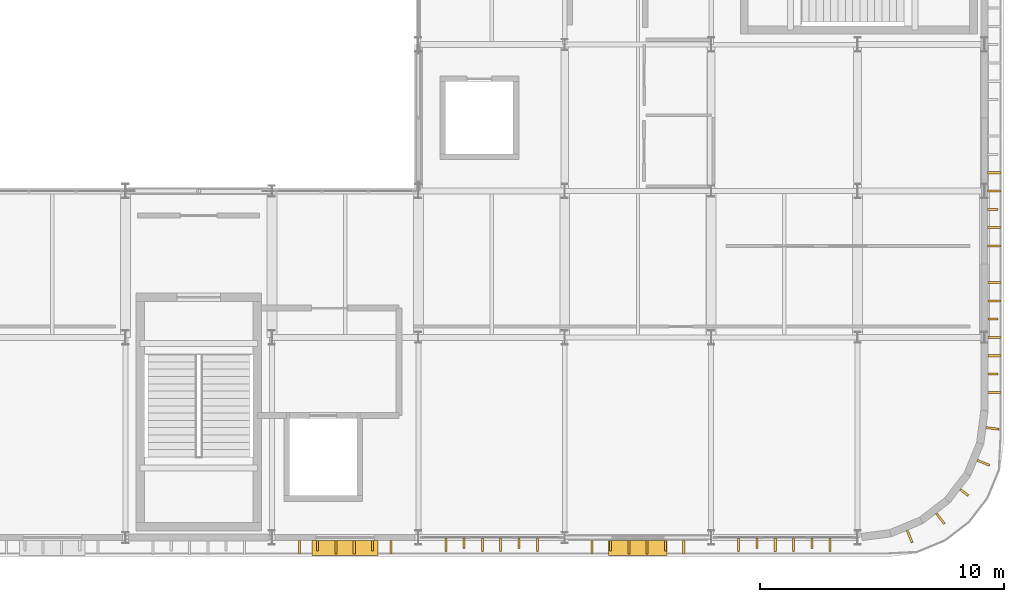
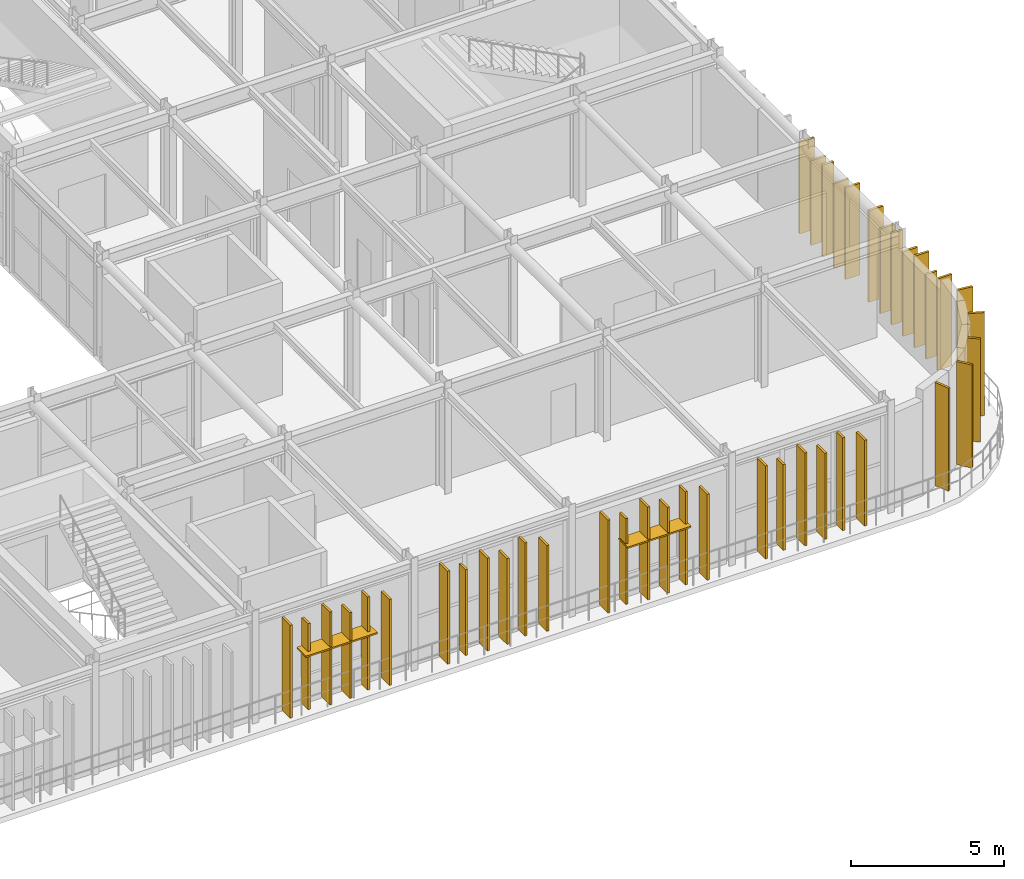
# One storey, part 93 of 96: 41 coverings, 2 shading devices.
"""IFC4 building model written with IfcOpenShell, lengths in metres."""

from ifc_helpers import new_model, si_unit, direction, frame, origin, origin_2d, place, context, subcontext, project, spatial, rectangle, extrude, material, layer, layer_set, type_object, element, save


model = new_model("IFC4")

# Units and contexts
model_context = context("Model", 3, precision=1e-05, world=origin(), true_north=direction((0.0, 1.0)))
body_context = subcontext(model_context, "Body", "Model", "MODEL_VIEW")
ifc_project = project(units=[si_unit("LENGTHUNIT", "METRE"), si_unit("AREAUNIT", "SQUARE_METRE"), si_unit("VOLUMEUNIT", "CUBIC_METRE"), si_unit("PLANEANGLEUNIT", "RADIAN"), si_unit("MASSUNIT", "GRAM", prefix="KILO")], contexts=[model_context])

# Site, building, storey
site_placement = place(None, origin())
site = spatial("IfcSite", under=ifc_project, at=site_placement, CompositionType="ELEMENT")
building_placement = place(site_placement, origin())
building = spatial("IfcBuilding", under=site, at=building_placement, Name="Varnakota Square Police Headquarters", CompositionType="ELEMENT")
storey_placement = place(building_placement, frame((0.0, 0.0, 4.800048828125)))
storey = spatial("IfcBuildingStorey", under=building, at=storey_placement, Name="L01", CompositionType="ELEMENT", Elevation=4.800048828125)

# Coverings
ifc_material_1 = material(Name="White Anodised Aluminium Vertical Facade Blade 420", Category="aluminium")
ifc_layer_1 = layer(ifc_material_1, 0.0849609375, Name="White Anodised Aluminium Vertical Facade Blade 420")
ifc_layer_set_1 = layer_set([ifc_layer_1], Name="White Anodised Aluminium Vertical Facade Blade 420")
covering_type_1 = type_object("IfcCoveringType", Name="COV-FIN-420", PredefinedType="CLADDING", material=ifc_layer_set_1)
covering_1_placement = place(storey_placement, frame((133.875, 0.465087890625, 0.0400390625), z_axis=(0.0, 0.0, 1.0), x_axis=(1.0, 0.0, 0.0)))
element("IfcCovering", 1, at=covering_1_placement, inside=storey, type_object=covering_type_1, Name="Vertical aluminium facade fin FIN-0252", PredefinedType="CLADDING", context=body_context, shape_type="SweptSolid", body=[
    extrude(rectangle(XDim=0.0849609375, YDim=0.419921875, at=origin_2d()), origin(), (0.0, 0.0, 1.0), 3.429931640625),
])
covering_2_placement = place(storey_placement, frame((136.125, 0.465087890625, 0.0400390625), z_axis=(0.0, 0.0, 1.0), x_axis=(1.0, 0.0, 0.0)))
element("IfcCovering", 2, at=covering_2_placement, inside=storey, type_object=covering_type_1, Name="Vertical aluminium facade fin FIN-0255", PredefinedType="CLADDING", context=body_context, shape_type="SweptSolid", body=[
    extrude(rectangle(XDim=0.0849609375, YDim=0.419921875, at=origin_2d()), origin(), (0.0, 0.0, 1.0), 3.7099609375),
])
covering_3_placement = place(storey_placement, frame((139.875, 0.5625, 0.0400390625), z_axis=(0.0, 0.0, 1.0), x_axis=(1.0, 0.0, 0.0)))
element("IfcCovering", 3, at=covering_3_placement, inside=storey, type_object=covering_type_1, Name="Vertical aluminium facade fin FIN-0258", PredefinedType="CLADDING", context=body_context, shape_type="SweptSolid", body=[
    extrude(rectangle(XDim=0.0849609375, YDim=0.419921875, at=origin_2d()), origin(), (0.0, 0.0, 1.0), 3.429931640625),
])
covering_4_placement = place(storey_placement, frame((142.125, 0.5625, 0.0400390625), z_axis=(0.0, 0.0, 1.0), x_axis=(1.0, 0.0, 0.0)))
element("IfcCovering", 4, at=covering_4_placement, inside=storey, type_object=covering_type_1, Name="Vertical aluminium facade fin FIN-0261", PredefinedType="CLADDING", context=body_context, shape_type="SweptSolid", body=[
    extrude(rectangle(XDim=0.0849609375, YDim=0.419921875, at=origin_2d()), origin(), (0.0, 0.0, 1.0), 3.7099609375),
])
covering_5_placement = place(storey_placement, frame((145.875, 0.465087890625, 0.0400390625), z_axis=(0.0, 0.0, 1.0), x_axis=(1.0, 0.0, 0.0)))
element("IfcCovering", 5, at=covering_5_placement, inside=storey, type_object=covering_type_1, Name="Vertical aluminium facade fin FIN-0264", PredefinedType="CLADDING", context=body_context, shape_type="SweptSolid", body=[
    extrude(rectangle(XDim=0.0849609375, YDim=0.419921875, at=origin_2d()), origin(), (0.0, 0.0, 1.0), 3.429931640625),
])
covering_6_placement = place(storey_placement, frame((148.125, 0.465087890625, 0.0400390625), z_axis=(0.0, 0.0, 1.0), x_axis=(1.0, 0.0, 0.0)))
element("IfcCovering", 6, at=covering_6_placement, inside=storey, type_object=covering_type_1, Name="Vertical aluminium facade fin FIN-0267", PredefinedType="CLADDING", context=body_context, shape_type="SweptSolid", body=[
    extrude(rectangle(XDim=0.0849609375, YDim=0.419921875, at=origin_2d()), origin(), (0.0, 0.0, 1.0), 3.7099609375),
])
covering_7_placement = place(storey_placement, frame((151.875, 0.5625, 0.0400390625), z_axis=(0.0, 0.0, 1.0), x_axis=(1.0, 0.0, 0.0)))
element("IfcCovering", 7, at=covering_7_placement, inside=storey, type_object=covering_type_1, Name="Vertical aluminium facade fin FIN-0270", PredefinedType="CLADDING", context=body_context, shape_type="SweptSolid", body=[
    extrude(rectangle(XDim=0.0849609375, YDim=0.419921875, at=origin_2d()), origin(), (0.0, 0.0, 1.0), 3.429931640625),
])
covering_8_placement = place(storey_placement, frame((154.125, 0.5625, 0.0400390625), z_axis=(0.0, 0.0, 1.0), x_axis=(1.0, 0.0, 0.0)))
element("IfcCovering", 8, at=covering_8_placement, inside=storey, type_object=covering_type_1, Name="Vertical aluminium facade fin FIN-0273", PredefinedType="CLADDING", context=body_context, shape_type="SweptSolid", body=[
    extrude(rectangle(XDim=0.0849609375, YDim=0.419921875, at=origin_2d()), origin(), (0.0, 0.0, 1.0), 3.7099609375),
])
covering_9_placement = place(storey_placement, frame((161.544921875, 7.5, 0.0400390625), z_axis=(0.0, 0.0, 1.0), x_axis=(0.0, 1.0, 0.0)))
element("IfcCovering", 9, at=covering_9_placement, inside=storey, type_object=covering_type_1, Name="Vertical aluminium facade fin FIN-0276", PredefinedType="CLADDING", context=body_context, shape_type="SweptSolid", body=[
    extrude(rectangle(XDim=0.0849609375, YDim=0.419921875, at=origin_2d()), origin(), (0.0, 0.0, 1.0), 3.3798828125),
])
for number, where, z_axis, x_axis, name in (
    (10, (161.544921875, 9.75, 0.0400390625), (0.0, 0.0, 1.0), (0.0, 1.0, 0.0), "Vertical aluminium facade fin FIN-0279"),
    (11, (161.534912109375, 14.25, 0.0400390625), (0.0, 0.0, 1.0), (0.0, 1.0, 0.0), "Vertical aluminium facade fin FIN-0284"),
):
    element("IfcCovering", number, at=place(storey_placement, frame(where, z_axis=z_axis, x_axis=x_axis)), inside=storey, type_object=covering_type_1, Name=name, PredefinedType="CLADDING", context=body_context, shape_type="SweptSolid", body=[
        extrude(rectangle(XDim=0.0849609375, YDim=0.419921875, at=origin_2d()), origin(), (0.0, 0.0, 1.0), 3.659912109375),
    ])
covering_10_placement = place(storey_placement, frame((160.371826171875, 2.6455078125, 0.0400390625), z_axis=(0.0, 0.0, 1.0), x_axis=(0.608761429009, 0.793353340291, 0.0)))
element("IfcCovering", 12, at=covering_10_placement, inside=storey, type_object=covering_type_1, Name="Vertical aluminium facade fin FIN-0322", PredefinedType="CLADDING", context=body_context, shape_type="SweptSolid", body=[
    extrude(rectangle(XDim=0.0849609375, YDim=0.419921875, at=origin_2d()), origin(), (0.0, 0.0, 1.0), 4.114990234375),
])
ifc_material_2 = material(Name="White Anodised Aluminium Vertical Facade Blade 550", Category="aluminium")
ifc_layer_2 = layer(ifc_material_2, 0.0849609375, Name="White Anodised Aluminium Vertical Facade Blade 550")
ifc_layer_set_2 = layer_set([ifc_layer_2], Name="White Anodised Aluminium Vertical Facade Blade 550")
covering_type_2 = type_object("IfcCoveringType", Name="COV-FIN-550", PredefinedType="CLADDING", material=ifc_layer_set_2)
for number, where, z_axis, x_axis, name in (
    (13, (133.125, 0.39990234375, 0.0400390625), (0.0, 0.0, 1.0), (1.0, 0.0, 0.0), "Vertical aluminium facade fin FIN-0251"),
    (14, (134.625, 0.39990234375, 0.0400390625), (0.0, 0.0, 1.0), (1.0, 0.0, 0.0), "Vertical aluminium facade fin FIN-0253"),
):
    element("IfcCovering", number, at=place(storey_placement, frame(where, z_axis=z_axis, x_axis=x_axis)), inside=storey, type_object=covering_type_2, Name=name, PredefinedType="CLADDING", context=body_context, shape_type="SweptSolid", body=[
        extrude(rectangle(XDim=0.0849609375, YDim=0.550048828125, at=origin_2d()), origin(), (0.0, 0.0, 1.0), 3.7099609375),
    ])
for number, where, z_axis, x_axis, name in (
    (15, (135.375, 0.39990234375, 0.0400390625), (0.0, 0.0, 1.0), (1.0, 0.0, 0.0), "Vertical aluminium facade fin FIN-0254"),
    (16, (136.875, 0.39990234375, 0.0400390625), (0.0, 0.0, 1.0), (1.0, 0.0, 0.0), "Vertical aluminium facade fin FIN-0256"),
):
    element("IfcCovering", number, at=place(storey_placement, frame(where, z_axis=z_axis, x_axis=x_axis)), inside=storey, type_object=covering_type_2, Name=name, PredefinedType="CLADDING", context=body_context, shape_type="SweptSolid", body=[
        extrude(rectangle(XDim=0.0849609375, YDim=0.550048828125, at=origin_2d()), origin(), (0.0, 0.0, 1.0), 3.429931640625),
    ])
for number, where, z_axis, x_axis, name in (
    (17, (139.125, 0.49755859375, 0.0400390625), (0.0, 0.0, 1.0), (1.0, 0.0, 0.0), "Vertical aluminium facade fin FIN-0257"),
    (18, (140.625, 0.49755859375, 0.0400390625), (0.0, 0.0, 1.0), (1.0, 0.0, 0.0), "Vertical aluminium facade fin FIN-0259"),
):
    element("IfcCovering", number, at=place(storey_placement, frame(where, z_axis=z_axis, x_axis=x_axis)), inside=storey, type_object=covering_type_2, Name=name, PredefinedType="CLADDING", context=body_context, shape_type="SweptSolid", body=[
        extrude(rectangle(XDim=0.0849609375, YDim=0.550048828125, at=origin_2d()), origin(), (0.0, 0.0, 1.0), 3.7099609375),
    ])
for number, where, z_axis, x_axis, name in (
    (19, (141.375, 0.49755859375, 0.0400390625), (0.0, 0.0, 1.0), (1.0, 0.0, 0.0), "Vertical aluminium facade fin FIN-0260"),
    (20, (142.875, 0.49755859375, 0.0400390625), (0.0, 0.0, 1.0), (1.0, 0.0, 0.0), "Vertical aluminium facade fin FIN-0262"),
):
    element("IfcCovering", number, at=place(storey_placement, frame(where, z_axis=z_axis, x_axis=x_axis)), inside=storey, type_object=covering_type_2, Name=name, PredefinedType="CLADDING", context=body_context, shape_type="SweptSolid", body=[
        extrude(rectangle(XDim=0.0849609375, YDim=0.550048828125, at=origin_2d()), origin(), (0.0, 0.0, 1.0), 3.429931640625),
    ])
for number, where, z_axis, x_axis, name in (
    (21, (145.125, 0.39990234375, 0.0400390625), (0.0, 0.0, 1.0), (1.0, 0.0, 0.0), "Vertical aluminium facade fin FIN-0263"),
    (22, (146.625, 0.39990234375, 0.0400390625), (0.0, 0.0, 1.0), (1.0, 0.0, 0.0), "Vertical aluminium facade fin FIN-0265"),
):
    element("IfcCovering", number, at=place(storey_placement, frame(where, z_axis=z_axis, x_axis=x_axis)), inside=storey, type_object=covering_type_2, Name=name, PredefinedType="CLADDING", context=body_context, shape_type="SweptSolid", body=[
        extrude(rectangle(XDim=0.0849609375, YDim=0.550048828125, at=origin_2d()), origin(), (0.0, 0.0, 1.0), 3.7099609375),
    ])
for number, where, z_axis, x_axis, name in (
    (23, (147.375, 0.39990234375, 0.0400390625), (0.0, 0.0, 1.0), (1.0, 0.0, 0.0), "Vertical aluminium facade fin FIN-0266"),
    (24, (148.875, 0.39990234375, 0.0400390625), (0.0, 0.0, 1.0), (1.0, 0.0, 0.0), "Vertical aluminium facade fin FIN-0268"),
):
    element("IfcCovering", number, at=place(storey_placement, frame(where, z_axis=z_axis, x_axis=x_axis)), inside=storey, type_object=covering_type_2, Name=name, PredefinedType="CLADDING", context=body_context, shape_type="SweptSolid", body=[
        extrude(rectangle(XDim=0.0849609375, YDim=0.550048828125, at=origin_2d()), origin(), (0.0, 0.0, 1.0), 3.429931640625),
    ])
for number, where, z_axis, x_axis, name in (
    (25, (151.125, 0.49755859375, 0.0400390625), (0.0, 0.0, 1.0), (1.0, 0.0, 0.0), "Vertical aluminium facade fin FIN-0269"),
    (26, (152.625, 0.49755859375, 0.0400390625), (0.0, 0.0, 1.0), (1.0, 0.0, 0.0), "Vertical aluminium facade fin FIN-0271"),
):
    element("IfcCovering", number, at=place(storey_placement, frame(where, z_axis=z_axis, x_axis=x_axis)), inside=storey, type_object=covering_type_2, Name=name, PredefinedType="CLADDING", context=body_context, shape_type="SweptSolid", body=[
        extrude(rectangle(XDim=0.0849609375, YDim=0.550048828125, at=origin_2d()), origin(), (0.0, 0.0, 1.0), 3.7099609375),
    ])
for number, where, z_axis, x_axis, name in (
    (27, (153.375, 0.49755859375, 0.0400390625), (0.0, 0.0, 1.0), (1.0, 0.0, 0.0), "Vertical aluminium facade fin FIN-0272"),
    (28, (154.875, 0.49755859375, 0.0400390625), (0.0, 0.0, 1.0), (1.0, 0.0, 0.0), "Vertical aluminium facade fin FIN-0274"),
):
    element("IfcCovering", number, at=place(storey_placement, frame(where, z_axis=z_axis, x_axis=x_axis)), inside=storey, type_object=covering_type_2, Name=name, PredefinedType="CLADDING", context=body_context, shape_type="SweptSolid", body=[
        extrude(rectangle(XDim=0.0849609375, YDim=0.550048828125, at=origin_2d()), origin(), (0.0, 0.0, 1.0), 3.429931640625),
    ])
for number, where, z_axis, x_axis, name in (
    (29, (161.610107421875, 6.75, 0.0400390625), (0.0, 0.0, 1.0), (0.0, 1.0, 0.0), "Vertical aluminium facade fin FIN-0275"),
    (30, (161.610107421875, 8.25, 0.0400390625), (0.0, 0.0, 1.0), (0.0, 1.0, 0.0), "Vertical aluminium facade fin FIN-0277"),
):
    element("IfcCovering", number, at=place(storey_placement, frame(where, z_axis=z_axis, x_axis=x_axis)), inside=storey, type_object=covering_type_2, Name=name, PredefinedType="CLADDING", context=body_context, shape_type="SweptSolid", body=[
        extrude(rectangle(XDim=0.0849609375, YDim=0.550048828125, at=origin_2d()), origin(), (0.0, 0.0, 1.0), 3.659912109375),
    ])
for number, where, z_axis, x_axis, name in (
    (31, (161.610107421875, 9.0, 0.0400390625), (0.0, 0.0, 1.0), (0.0, 1.0, 0.0), "Vertical aluminium facade fin FIN-0278"),
    (32, (161.610107421875, 10.5, 0.0400390625), (0.0, 0.0, 1.0), (0.0, 1.0, 0.0), "Vertical aluminium facade fin FIN-0280"),
):
    element("IfcCovering", number, at=place(storey_placement, frame(where, z_axis=z_axis, x_axis=x_axis)), inside=storey, type_object=covering_type_2, Name=name, PredefinedType="CLADDING", context=body_context, shape_type="SweptSolid", body=[
        extrude(rectangle(XDim=0.0849609375, YDim=0.550048828125, at=origin_2d()), origin(), (0.0, 0.0, 1.0), 3.3798828125),
    ])
for number, where, z_axis, x_axis, name in (
    (33, (161.610107421875, 11.25, 0.0400390625), (0.0, 0.0, 1.0), (0.0, 1.0, 0.0), "Vertical aluminium facade fin FIN-0281"),
    (34, (161.60009765625, 12.75, 0.0400390625), (0.0, 0.0, 1.0), (0.0, 1.0, 0.0), "Vertical aluminium facade fin FIN-0282"),
):
    element("IfcCovering", number, at=place(storey_placement, frame(where, z_axis=z_axis, x_axis=x_axis)), inside=storey, type_object=covering_type_2, Name=name, PredefinedType="CLADDING", context=body_context, shape_type="SweptSolid", body=[
        extrude(rectangle(XDim=0.0849609375, YDim=0.550048828125, at=origin_2d()), origin(), (0.0, 0.0, 1.0), 3.659912109375),
    ])
for number, where, z_axis, x_axis, name in (
    (35, (161.60009765625, 13.5, 0.0400390625), (0.0, 0.0, 1.0), (0.0, 1.0, 0.0), "Vertical aluminium facade fin FIN-0283"),
    (36, (161.60009765625, 15.0, 0.0400390625), (0.0, 0.0, 1.0), (0.0, 1.0, 0.0), "Vertical aluminium facade fin FIN-0285"),
):
    element("IfcCovering", number, at=place(storey_placement, frame(where, z_axis=z_axis, x_axis=x_axis)), inside=storey, type_object=covering_type_2, Name=name, PredefinedType="CLADDING", context=body_context, shape_type="SweptSolid", body=[
        extrude(rectangle(XDim=0.0849609375, YDim=0.550048828125, at=origin_2d()), origin(), (0.0, 0.0, 1.0), 3.3798828125),
    ])
covering_11_placement = place(storey_placement, frame((161.60009765625, 15.75, 0.0400390625), z_axis=(0.0, 0.0, 1.0), x_axis=(0.0, 1.0, 0.0)))
element("IfcCovering", 37, at=covering_11_placement, inside=storey, type_object=covering_type_2, Name="Vertical aluminium facade fin FIN-0286", PredefinedType="CLADDING", context=body_context, shape_type="SweptSolid", body=[
    extrude(rectangle(XDim=0.0849609375, YDim=0.550048828125, at=origin_2d()), origin(), (0.0, 0.0, 1.0), 3.659912109375),
])
for number, where, z_axis, x_axis, name in (
    (38, (158.1337890625, 0.848876953125, 0.0400390625), (0.0, 0.0, 1.0), (0.923879532511, 0.382683432365, 0.0), "Vertical aluminium facade fin FIN-0320"),
    (39, (159.394287109375, 1.57666015625, 0.0400390625), (0.0, 0.0, 1.0), (0.793353340291, 0.608761429009, 0.0), "Vertical aluminium facade fin FIN-0321"),
    (40, (161.151123046875, 3.8662109375, 0.0400390625), (0.0, 0.0, 1.0), (0.382683432365, 0.923879532511, 0.0), "Vertical aluminium facade fin FIN-0323"),
    (41, (161.52783203125, 5.272216796875, 0.0400390625), (0.0, 0.0, 1.0), (0.13052619222, 0.991444861374, 0.0), "Vertical aluminium facade fin FIN-0324"),
):
    element("IfcCovering", number, at=place(storey_placement, frame(where, z_axis=z_axis, x_axis=x_axis)), inside=storey, type_object=covering_type_2, Name=name, PredefinedType="CLADDING", context=body_context, shape_type="SweptSolid", body=[
        extrude(rectangle(XDim=0.0849609375, YDim=0.550048828125, at=origin_2d()), origin(), (0.0, 0.0, 1.0), 4.114990234375),
    ])

# Shading devices
ifc_material_3 = material(Name="Anodised Aluminium Horizontal Brise-Soleil", Category="aluminium")
ifc_layer_3 = layer(ifc_material_3, 0.06005859375, Name="Anodised Aluminium Horizontal Brise-Soleil")
ifc_layer_set_3 = layer_set([ifc_layer_3], Name="Anodised Aluminium Horizontal Brise-Soleil")
shading_device_type = type_object("IfcShadingDeviceType", Name="SHD-JAL-600", PredefinedType="JALOUSIE", material=ifc_layer_set_3)
shading_device_1_placement = place(storey_placement, frame((135.0, 0.3720703125, 2.2998046875), z_axis=(0.0, 0.0, 1.0), x_axis=(1.0, 0.0, 0.0)))
element("IfcShadingDevice", 42, at=shading_device_1_placement, inside=storey, type_object=shading_device_type, Name="Horizontal sunshade SHD-016", PredefinedType="JALOUSIE", context=body_context, shape_type="SweptSolid", body=[
    extrude(rectangle(XDim=2.699951171875, YDim=0.60009765625, at=origin_2d()), origin(), (0.0, 0.0, 1.0), 0.06005859375),
])
shading_device_2_placement = place(storey_placement, frame((147.0, 0.3720703125, 2.39990234375), z_axis=(0.0, 0.0, 1.0), x_axis=(1.0, 0.0, 0.0)))
element("IfcShadingDevice", 43, at=shading_device_2_placement, inside=storey, type_object=shading_device_type, Name="Horizontal sunshade SHD-017", PredefinedType="JALOUSIE", context=body_context, shape_type="SweptSolid", body=[
    extrude(rectangle(XDim=2.39990234375, YDim=0.60009765625, at=origin_2d()), origin(), (0.0, 0.0, 1.0), 0.06005859375),
])

save(model, "model.ifc")
